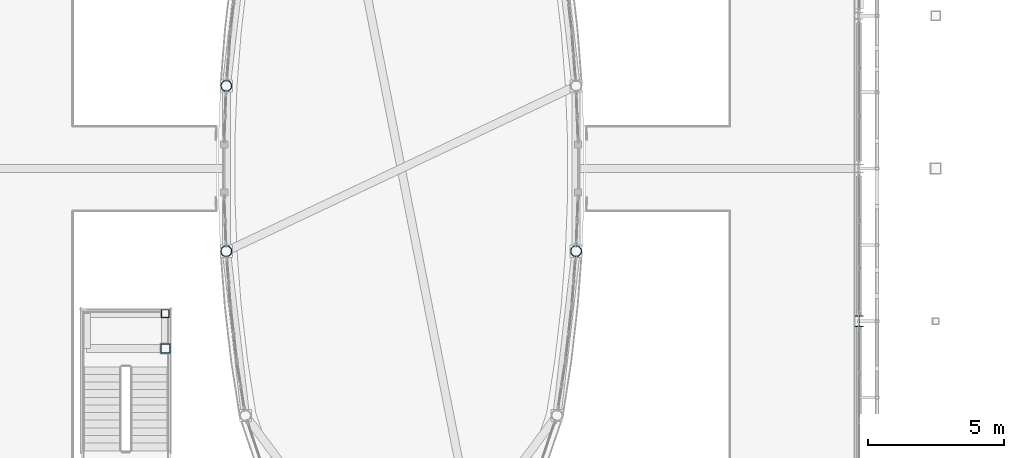
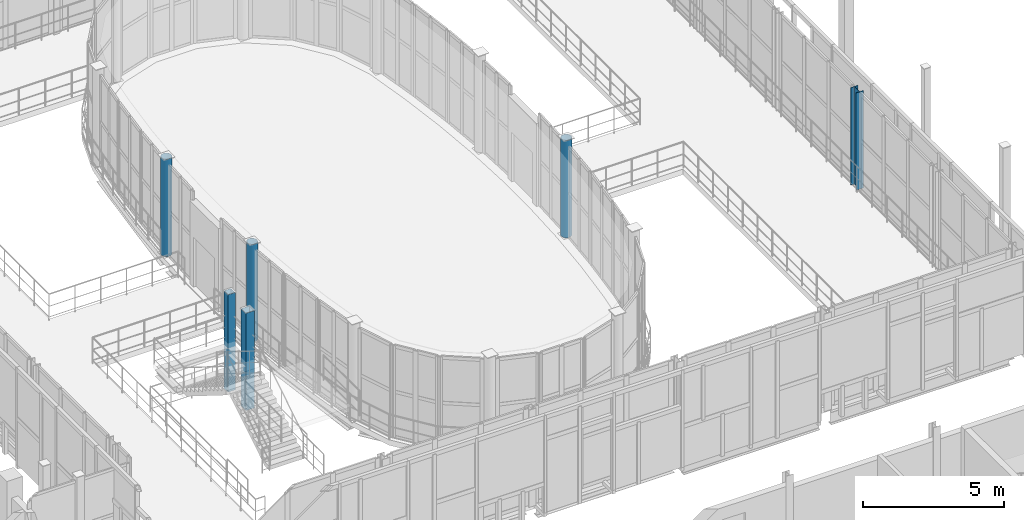
# One storey, part 11 of 121: 6 columns.
"""IFC4 building model written with IfcOpenShell, lengths in metres."""

from ifc_helpers import new_model, si_unit, direction, frame, origin, origin_2d, place, context, subcontext, project, spatial, hollow_rectangle, hollow_circle, i_section, extrude, material, material_profile, profile_set, type_object, element, save


model = new_model("IFC4")

# Units and contexts
model_context = context("Model", 3, precision=1e-05, world=origin(), true_north=direction((0.0, 1.0)))
body_context = subcontext(model_context, "Body", "Model", "MODEL_VIEW")
ifc_project = project(units=[si_unit("LENGTHUNIT", "METRE"), si_unit("AREAUNIT", "SQUARE_METRE"), si_unit("VOLUMEUNIT", "CUBIC_METRE"), si_unit("PLANEANGLEUNIT", "RADIAN"), si_unit("MASSUNIT", "GRAM", prefix="KILO")], contexts=[model_context])

# Site, building, storey
site_placement = place(None, origin())
site = spatial("IfcSite", under=ifc_project, at=site_placement, CompositionType="ELEMENT")
building_placement = place(site_placement, origin())
building = spatial("IfcBuilding", under=site, at=building_placement, Name="Vinh Khe Railworks Police Headquarters", CompositionType="ELEMENT")
storey_placement = place(building_placement, frame((0.0, 0.0, 4.800048828125)))
storey = spatial("IfcBuildingStorey", under=building, at=storey_placement, Name="L01", CompositionType="ELEMENT", Elevation=4.800048828125)

# Columns
ifc_material = material(Name="Steel S355JR", Category="steel")
ifc_material_profile_1 = material_profile(ifc_material, hollow_circle(Radius=0.203125, WallThickness=0.01611328125, at=origin_2d()), Name="CHS 406.4x16")
ifc_profile_set_1 = profile_set([ifc_material_profile_1], Name="Steel S355JR")
column_type_1 = type_object("IfcColumnType", Name="Steel Column CHS 406.4x16", PredefinedType="COLUMN", material=ifc_profile_set_1)
for number, where, z_axis, x_axis, name in (
    (1, (36.78759765625, 38.968017578125, 0.0), (0.0, 0.0, 1.0), (-0.997039347045, -0.076893045491, 0.0), "Column COL-L01-SC-26-0831"),
    (2, (36.78759765625, 45.031982421875, 0.0), (0.0, 0.0, 1.0), (-0.999256201254, 0.038562212782, 0.0), "Column COL-L01-SC-26-0836"),
    (3, (49.6123046875, 38.968017578125, 0.0), (0.0, 0.0, 1.0), (0.999256201254, -0.038562212782, 0.0), "Column COL-L01-SC-26-0951"),
):
    element("IfcColumn", number, at=place(storey_placement, frame(where, z_axis=z_axis, x_axis=x_axis)), inside=storey, type_object=column_type_1, Name=name, PredefinedType="COLUMN", context=body_context, shape_type="SweptSolid", body=[
        extrude(hollow_circle(Radius=0.203125, WallThickness=0.01611328125, at=origin_2d()), origin(), (0.0, 0.0, 1.0), 4.199951171875),
    ])
ifc_material_profile_2 = material_profile(ifc_material, i_section(OverallWidth=0.300048828125, OverallDepth=0.389892578125, WebThickness=0.010986328125, FlangeThickness=0.01904296875, FilletRadius=0.027099609375, at=origin_2d()), Name="HEA 400")
ifc_profile_set_2 = profile_set([ifc_material_profile_2], Name="Steel S355JR")
column_type_2 = type_object("IfcColumnType", Name="Steel Column HEA 400", PredefinedType="COLUMN", material=ifc_profile_set_2)
column_1_placement = place(storey_placement, frame((60.0, 36.39990234375, 0.0), z_axis=(0.0, 0.0, 1.0), x_axis=(1.0, 0.0, 0.0)))
element("IfcColumn", 4, at=column_1_placement, inside=storey, type_object=column_type_2, Name="Column COL-L01-SC-15-1019", PredefinedType="COLUMN", context=body_context, shape_type="SweptSolid", body=[
    extrude(i_section(OverallWidth=0.300048828125, OverallDepth=0.389892578125, WebThickness=0.010986328125, FlangeThickness=0.01904296875, FilletRadius=0.027099609375, at=origin_2d()), origin(), (0.0, 0.0, 1.0), 4.199951171875),
])
ifc_material_profile_3 = material_profile(ifc_material, hollow_rectangle(XDim=0.300048828125, YDim=0.300048828125, WallThickness=0.01611328125, at=origin_2d()), Name="SHS 300x300x16")
ifc_profile_set_3 = profile_set([ifc_material_profile_3], Name="Steel S355JR")
column_type_3 = type_object("IfcColumnType", Name="Steel Column SHS 300x300x16", PredefinedType="COLUMN", material=ifc_profile_set_3)
column_2_placement = place(storey_placement, frame((34.550048828125, 36.679931640625, 0.0), z_axis=(0.0, 0.0, 1.0), x_axis=(1.0, 0.0, 0.0)))
element("IfcColumn", 5, at=column_2_placement, inside=storey, type_object=column_type_3, Name="Column COL-L01-SC-23-0827", PredefinedType="COLUMN", context=body_context, shape_type="SweptSolid", body=[
    extrude(hollow_rectangle(XDim=0.300048828125, YDim=0.300048828125, WallThickness=0.01611328125, at=origin_2d()), origin(), (0.0, 0.0, 1.0), 4.199951171875),
])
ifc_material_profile_4 = material_profile(ifc_material, hollow_rectangle(XDim=0.35009765625, YDim=0.35009765625, WallThickness=0.01611328125, at=origin_2d()), Name="SHS 350x350x16")
ifc_profile_set_4 = profile_set([ifc_material_profile_4], Name="Steel S355JR")
column_type_4 = type_object("IfcColumnType", Name="Steel Column SHS 350x350x16", PredefinedType="COLUMN", material=ifc_profile_set_4)
column_3_placement = place(storey_placement, frame((34.550048828125, 35.39990234375, 0.0), z_axis=(0.0, 0.0, 1.0), x_axis=(1.0, 0.0, 0.0)))
element("IfcColumn", 6, at=column_3_placement, inside=storey, type_object=column_type_4, Name="Column COL-L01-SC-22-0823", PredefinedType="COLUMN", context=body_context, shape_type="SweptSolid", body=[
    extrude(hollow_rectangle(XDim=0.35009765625, YDim=0.35009765625, WallThickness=0.01611328125, at=origin_2d()), origin(), (0.0, 0.0, 1.0), 4.199951171875),
])

save(model, "model.ifc")
